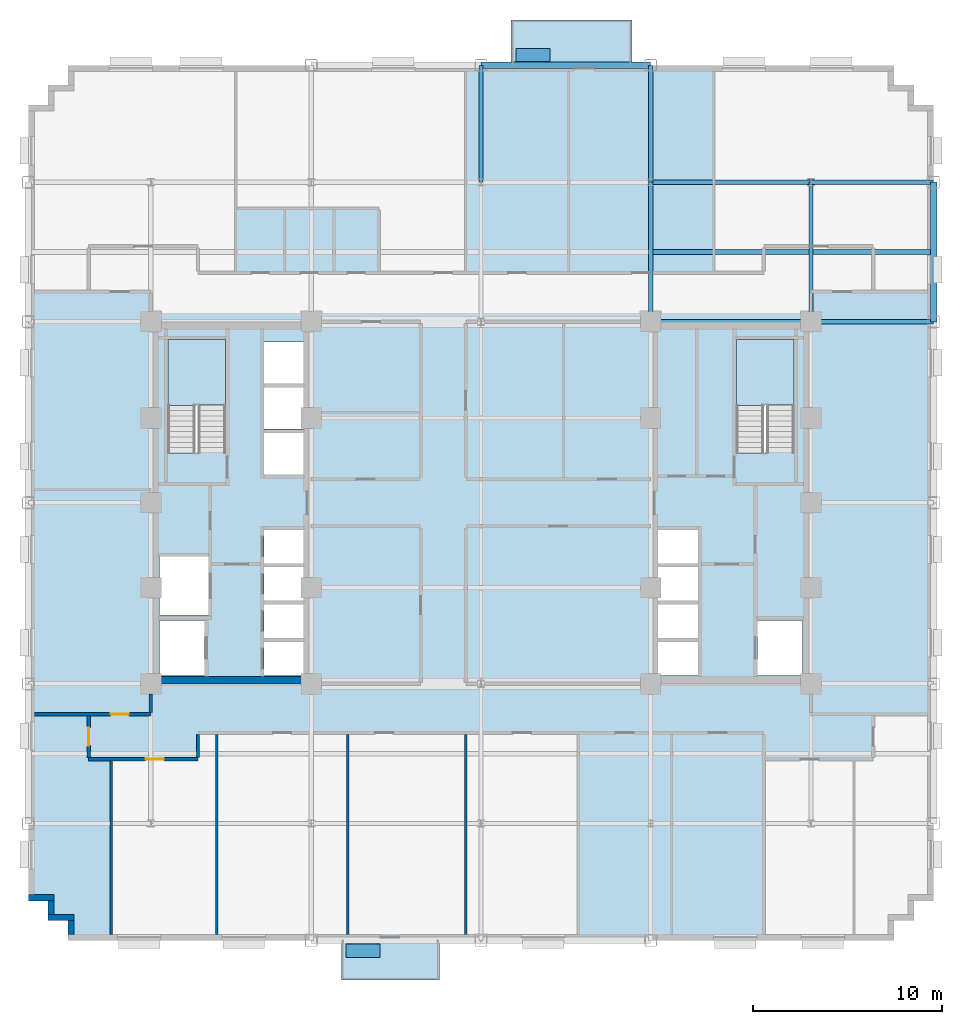
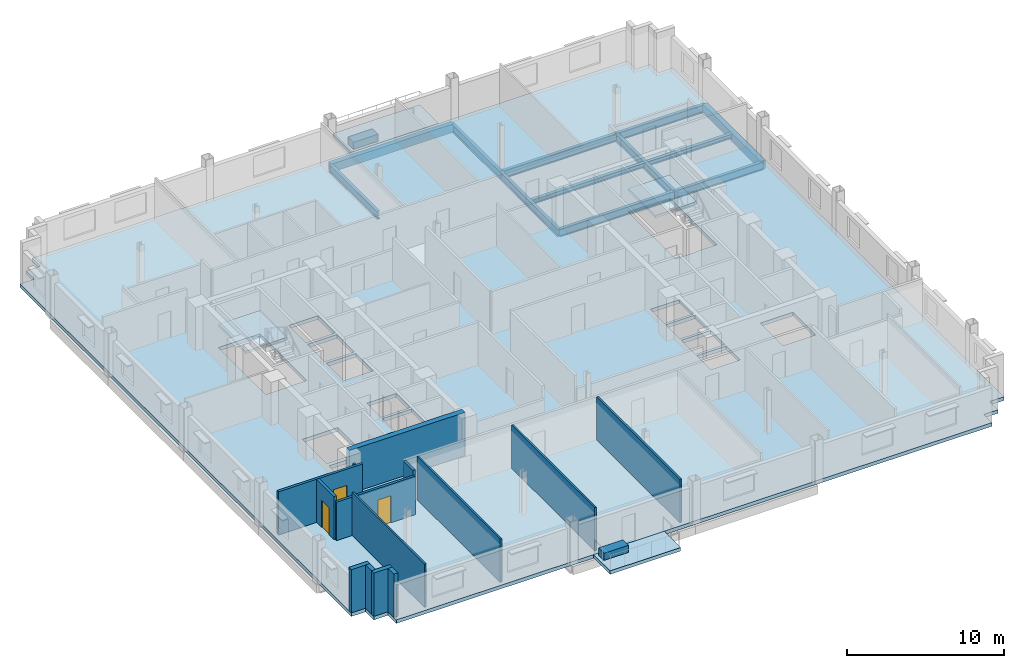
# One storey, part 5 of 14: 14 walls, 12 beams, 5 slabs, 3 doors, 2 plates, 3 openings, 2 elements without a shape of their own.
"""IFC4 building model written with IfcOpenShell, lengths in metres."""

import ifcopenshell
import ifcopenshell.guid

model = None  # the IFC model being written
_history = None  # IfcOwnerHistory: only IFC2X3 demands one
_inside = {}  # id of a spatial element -> (the spatial element, [elements in it])
_under = {}  # id of a project, library or spatial element -> (it, [spatial elements below it])
_declared = {}  # id of a project -> (the project, [libraries it declares])
_typed = {}  # id of a type object -> (the type object, [elements of that type])
_made_of = {}  # id of a material, layer set ... -> (it, [elements and type objects made of it])


def new_model(schema):
    """Start an empty IFC model of exactly this schema.

    Asked for "IFC4X3", IfcOpenShell would pick the latest addendum, in which some entities
    have other attributes; the version numbers below select the first issue.
    IFC2X3 requires an IfcOwnerHistory on every rooted entity: one is made here for all.
    """
    global model, _history
    if schema == "IFC4X3":
        model = ifcopenshell.file(schema_version=(4, 3, 0, 0))
    else:
        model = ifcopenshell.file(schema=schema)
    _inside.clear()
    _under.clear()
    _declared.clear()
    _typed.clear()
    _made_of.clear()
    _history = None
    if model.schema == "IFC2X3":
        org = make("IfcOrganization", Name="unknown")
        user = make(
            "IfcPersonAndOrganization",
            ThePerson=make("IfcPerson", FamilyName="unknown"),
            TheOrganization=org,
        )
        app = make(
            "IfcApplication",
            ApplicationDeveloper=org,
            Version="unknown",
            ApplicationFullName="unknown",
            ApplicationIdentifier="unknown",
        )
        _history = make(
            "IfcOwnerHistory",
            OwningUser=user,
            OwningApplication=app,
            ChangeAction="ADDED",
            CreationDate=0,
        )
    return model


def make(cls, **values):
    """One entity of the class cls with the attributes given. An attribute that is None is left unset."""
    return model.create_entity(
        cls, **{name: value for name, value in values.items() if value is not None}
    )


def rooted(cls, **values):
    """An entity with a GlobalId (a new one), such as an element, a storey or a relation."""
    return make(cls, GlobalId=ifcopenshell.guid.new(), OwnerHistory=_history, **values)


def si_unit(unit_type, name, prefix=None):
    """IfcSIUnit, for example si_unit("LENGTHUNIT", "METRE", prefix="MILLI")."""
    return make("IfcSIUnit", UnitType=unit_type, Prefix=prefix, Name=name)


def assignment(units):
    """IfcUnitAssignment: the units of a project."""
    return None if units is None else make("IfcUnitAssignment", Units=units)


def point(xyz):
    """IfcCartesianPoint."""
    return None if xyz is None else make("IfcCartesianPoint", Coordinates=xyz)


def direction(xyz):
    """IfcDirection."""
    return None if xyz is None else make("IfcDirection", DirectionRatios=xyz)


def frame(location, z_axis=None, x_axis=None):
    """IfcAxis2Placement3D, a coordinate frame: its origin and axes. An axis left out is left unset."""
    return make(
        "IfcAxis2Placement3D",
        Location=point(location),
        Axis=direction(z_axis),
        RefDirection=direction(x_axis),
    )


def frame_2d(location, x_axis=None):
    """IfcAxis2Placement2D, a coordinate frame in the plane: its origin and x axis."""
    return make(
        "IfcAxis2Placement2D", Location=point(location), RefDirection=direction(x_axis)
    )


def origin():
    """The frame at (0, 0, 0) with its axes left unset."""
    return frame((0.0, 0.0, 0.0))


def origin_2d():
    """The frame at (0, 0) in the plane with its x axis left unset."""
    return frame_2d((0.0, 0.0))


def place(relative_to, where):
    """IfcLocalPlacement: puts the frame where relative to a parent placement (None: the world)."""
    return make(
        "IfcLocalPlacement", PlacementRelTo=relative_to, RelativePlacement=where
    )


def context(
    kind, dimensions, precision=None, world=None, true_north=None, identifier=None
):
    """IfcGeometricRepresentationContext, for example the 3D "Model" context."""
    return make(
        "IfcGeometricRepresentationContext",
        ContextIdentifier=identifier,
        ContextType=kind,
        CoordinateSpaceDimension=dimensions,
        Precision=precision,
        WorldCoordinateSystem=world,
        TrueNorth=true_north,
    )


def subcontext(parent, identifier, kind, view, scale=None):
    """IfcGeometricRepresentationSubContext, for example "Body" below "Model"."""
    return make(
        "IfcGeometricRepresentationSubContext",
        ContextIdentifier=identifier,
        ContextType=kind,
        ParentContext=parent,
        TargetScale=scale,
        TargetView=view,
    )


def project(units=None, contexts=None):
    """IfcProject with its units and contexts."""
    return rooted(
        "IfcProject",
        Name="project",
        RepresentationContexts=contexts,
        UnitsInContext=assignment(units),
    )


def spatial(cls, under=None, at=None, **own):
    """A site, building, storey or space (cls), placed at a placement, below another one or the project."""
    s = rooted(cls, ObjectPlacement=at, **own)
    if under is not None:
        _under.setdefault(under.id(), (under, []))[1].append(s)
    return s


def polyline(points):
    """IfcPolyline through the points."""
    return make("IfcPolyline", Points=[point(p) for p in points])


def profile(cls, at=None, kind="AREA", **sizes):
    """A parametric profile (cls). Its sizes go by their IFC names, for example OverallWidth=200.0."""
    return make(cls, ProfileType=kind, Position=at, **sizes)


def rectangle(**sizes):
    """IfcRectangleProfileDef."""
    return profile("IfcRectangleProfileDef", **sizes)


def i_section(**sizes):
    """IfcIShapeProfileDef."""
    return profile("IfcIShapeProfileDef", **sizes)


def outline(outer, holes=None, kind="AREA"):
    """IfcArbitraryClosedProfileDef: a profile drawn as a closed curve; with holes, ...WithVoids."""
    if holes is None:
        return make("IfcArbitraryClosedProfileDef", ProfileType=kind, OuterCurve=outer)
    return make(
        "IfcArbitraryProfileDefWithVoids",
        ProfileType=kind,
        OuterCurve=outer,
        InnerCurves=holes,
    )


def extrude(swept, where, along, depth):
    """IfcExtrudedAreaSolid: the profile swept, set in the frame where, extruded along a direction by depth."""
    return make(
        "IfcExtrudedAreaSolid",
        SweptArea=swept,
        Position=where,
        ExtrudedDirection=direction(along),
        Depth=depth,
    )


def shape(context_of_items, identifier, shape_type, items):
    """IfcShapeRepresentation: the items that make up one representation, for example the "Body"."""
    return make(
        "IfcShapeRepresentation",
        ContextOfItems=context_of_items,
        RepresentationIdentifier=identifier,
        RepresentationType=shape_type,
        Items=items,
    )


def source(mapping_origin, context_of_items, identifier, shape_type, items):
    """IfcRepresentationMap: a shape defined once, which mapped items show again and again."""
    return make(
        "IfcRepresentationMap",
        MappingOrigin=mapping_origin,
        MappedRepresentation=shape(context_of_items, identifier, shape_type, items),
    )


def transform(
    local_origin,
    x_axis=None,
    y_axis=None,
    z_axis=None,
    scale=None,
    scale2=None,
    scale3=None,
    uniform=True,
):
    """IfcCartesianTransformationOperator3D, or its non-uniform kind. x_axis, y_axis, z_axis: its Axis1, 2, 3."""
    if uniform:
        return make(
            "IfcCartesianTransformationOperator3D",
            Axis1=direction(x_axis),
            Axis2=direction(y_axis),
            LocalOrigin=point(local_origin),
            Scale=scale,
            Axis3=direction(z_axis),
        )
    return make(
        "IfcCartesianTransformationOperator3DnonUniform",
        Axis1=direction(x_axis),
        Axis2=direction(y_axis),
        LocalOrigin=point(local_origin),
        Scale=scale,
        Axis3=direction(z_axis),
        Scale2=scale2,
        Scale3=scale3,
    )


def mapped(mapping_source, mapping_target):
    """IfcMappedItem: shows the shape of a source again, moved by a transform."""
    return make(
        "IfcMappedItem", MappingSource=mapping_source, MappingTarget=mapping_target
    )


def material(Name=None, Category=None):
    """IfcMaterial."""
    return make("IfcMaterial", Name=Name, Category=Category)


def layer(
    of_material, thickness, ventilated=None, Name=None, Category=None, Priority=None
):
    """IfcMaterialLayer: one layer of a wall or slab, of a material (None: an air gap)."""
    return make(
        "IfcMaterialLayer",
        Material=of_material,
        LayerThickness=thickness,
        IsVentilated=ventilated,
        Name=Name,
        Category=Category,
        Priority=Priority,
    )


def layer_set(layers, Name=None):
    """IfcMaterialLayerSet."""
    return make("IfcMaterialLayerSet", MaterialLayers=layers, LayerSetName=Name)


def material_profile(
    of_material, cross_section, Name=None, Category=None, Priority=None
):
    """IfcMaterialProfile: a cross section and its material."""
    return make(
        "IfcMaterialProfile",
        Name=Name,
        Material=of_material,
        Profile=cross_section,
        Priority=Priority,
        Category=Category,
    )


def profile_set(profiles, Name=None, composite=None):
    """IfcMaterialProfileSet."""
    return make(
        "IfcMaterialProfileSet",
        Name=Name,
        MaterialProfiles=profiles,
        CompositeProfile=composite,
    )


def made_of(thing, what):
    """Note that an element or type object is made of a material, layer set ...; save() writes the relation."""
    if what is not None:
        _made_of.setdefault(what.id(), (what, []))[1].append(thing)
    return thing


def type_object(cls, material=None, **own):
    """A type object (cls), such as IfcWallType, which elements share."""
    return made_of(rooted(cls, **own), material)


def type_shapes(of_type, sources):
    """Give a type object the sources (RepresentationMaps) that its elements show as mapped items."""
    of_type.RepresentationMaps = sources


def element(
    cls,
    number,
    at=None,
    inside=None,
    cuts=None,
    type_object=None,
    material=None,
    context=None,
    identifier="Body",
    shape_type=None,
    held_by="IfcProductDefinitionShape",
    body=None,
    shapes=None,
    **own,
):
    """One element of the class cls, such as IfcWall. Its Tag is "e" and its number.

    at: its placement. inside: the storey or other place that contains it. cuts: it is an
    opening in that element (IfcRelVoidsElement). A single representation is given by context,
    identifier, shape_type and body (its items); several are given by shapes. held_by: the class
    of the entity that holds the representations. save() writes the other relations.
    """
    e = rooted(cls, Tag="e%d" % number, ObjectPlacement=at, **own)
    if body is not None:
        shapes = [shape(context, identifier, shape_type, body)]
    if shapes is not None:
        e.Representation = make(held_by, Representations=shapes)
    if inside is not None:
        _inside.setdefault(inside.id(), (inside, []))[1].append(e)
    if cuts is not None:
        rooted(
            "IfcRelVoidsElement", RelatingBuildingElement=cuts, RelatedOpeningElement=e
        )
    if type_object is not None:
        _typed.setdefault(type_object.id(), (type_object, []))[1].append(e)
    return made_of(e, material)


def fill(opening, filler):
    """IfcRelFillsElement: the door or window that sits in an opening."""
    return rooted(
        "IfcRelFillsElement",
        RelatingOpeningElement=opening,
        RelatedBuildingElement=filler,
    )


def aggregate(whole, parts):
    """IfcRelAggregates: a whole, such as a stair, and the parts it consists of."""
    return rooted("IfcRelAggregates", RelatingObject=whole, RelatedObjects=parts)


def save(model, path):
    """Write the relations noted so far, then the file.

    IfcRelAggregates (storeys below a building ...), IfcRelContainedInSpatialStructure (elements
    in a storey), IfcRelDefinesByType, IfcRelAssociatesMaterial and IfcRelDeclares: one each for
    every whole, place, type object, material and project.
    """
    for whole, parts in _under.values():
        aggregate(whole, parts)
    for where, things in _inside.values():
        rooted(
            "IfcRelContainedInSpatialStructure",
            RelatedElements=things,
            RelatingStructure=where,
        )
    for kind, things in _typed.values():
        rooted("IfcRelDefinesByType", RelatedObjects=things, RelatingType=kind)
    for what, things in _made_of.values():
        rooted("IfcRelAssociatesMaterial", RelatedObjects=things, RelatingMaterial=what)
    for by, libraries in _declared.values():
        rooted("IfcRelDeclares", RelatingContext=by, RelatedDefinitions=libraries)
    model.write(path)


model = new_model("IFC4")

# Units and contexts
model_context = context("Model", 3, precision=1e-05, world=origin(), true_north=direction((0.0, 1.0)))
body_context = subcontext(model_context, "Body", "Model", "MODEL_VIEW")
ifc_project = project(units=[si_unit("LENGTHUNIT", "METRE"), si_unit("AREAUNIT", "SQUARE_METRE"), si_unit("VOLUMEUNIT", "CUBIC_METRE"), si_unit("PLANEANGLEUNIT", "RADIAN"), si_unit("MASSUNIT", "GRAM", prefix="KILO")], contexts=[model_context])

# Site, building, storey
site_placement = place(None, origin())
site = spatial("IfcSite", under=ifc_project, at=site_placement, CompositionType="ELEMENT")
building_placement = place(site_placement, origin())
building = spatial("IfcBuilding", under=site, at=building_placement, Name="Nuvemarco Arch Tower", CompositionType="ELEMENT")
storey_placement = place(building_placement, frame((0.0, 0.0, 98.300048828125)))
storey = spatial("IfcBuildingStorey", under=building, at=storey_placement, Name="L25", CompositionType="ELEMENT", Elevation=98.300048828125)

# Beams
ifc_material_1 = material(Name="Steel S355", Category="steel")
ifc_material_profile_1 = material_profile(ifc_material_1, i_section(OverallWidth=0.22998046875, OverallDepth=0.616943359375, WebThickness=0.01318359375, FlangeThickness=0.022216796875, FilletRadius=0.01611328125, at=origin_2d()), Name="W610x140")
ifc_profile_set_1 = profile_set([ifc_material_profile_1], Name="Steel S355")
beam_type_1 = type_object("IfcBeamType", Name="BM-GIRD-610", PredefinedType="BEAM", material=ifc_profile_set_1)
beam_1_placement = place(storey_placement, frame((0.0, 17.0, -0.588623046875), z_axis=(0.0, 1.0, 0.0), x_axis=(-1.0, 0.0, 0.0)))
element("IfcBeam", 1, at=beam_1_placement, inside=storey, type_object=beam_type_1, Name="L25 structural beam BGNS_L25_0_+0.0_+17.0", PredefinedType="BEAM", context=body_context, shape_type="SweptSolid", body=[
    extrude(i_section(OverallWidth=0.22998046875, OverallDepth=0.616943359375, WebThickness=0.01318359375, FlangeThickness=0.022216796875, FilletRadius=0.01611328125, at=origin_2d()), origin(), (0.0, 0.0, 1.0), 6.199951171875),
])
beam_2_placement = place(storey_placement, frame((9.0, 9.60009765625, -0.588623046875), z_axis=(0.0, 1.0, 0.0), x_axis=(-1.0, 0.0, 0.0)))
element("IfcBeam", 2, at=beam_2_placement, inside=storey, type_object=beam_type_1, Name="L25 structural beam BGNS_L25_0_+9.0_+9.6", PredefinedType="BEAM", context=body_context, shape_type="SweptSolid", body=[
    extrude(i_section(OverallWidth=0.22998046875, OverallDepth=0.616943359375, WebThickness=0.01318359375, FlangeThickness=0.022216796875, FilletRadius=0.01611328125, at=origin_2d()), origin(), (0.0, 0.0, 1.0), 7.39990234375),
])
beam_3_placement = place(storey_placement, frame((9.0, 17.0, -0.588623046875), z_axis=(0.0, 1.0, 0.0), x_axis=(-1.0, 0.0, 0.0)))
element("IfcBeam", 3, at=beam_3_placement, inside=storey, type_object=beam_type_1, Name="L25 structural beam BGNS_L25_0_+9.0_+17.0", PredefinedType="BEAM", context=body_context, shape_type="SweptSolid", body=[
    extrude(i_section(OverallWidth=0.22998046875, OverallDepth=0.616943359375, WebThickness=0.01318359375, FlangeThickness=0.022216796875, FilletRadius=0.01611328125, at=origin_2d()), origin(), (0.0, 0.0, 1.0), 6.199951171875),
])
beam_4_placement = place(storey_placement, frame((17.5, 9.60009765625, -0.588623046875), z_axis=(0.0, 1.0, 0.0), x_axis=(-1.0, 0.0, 0.0)))
element("IfcBeam", 4, at=beam_4_placement, inside=storey, type_object=beam_type_1, Name="L25 structural beam BGNS_L25_0_+17.5_+9.6", PredefinedType="BEAM", context=body_context, shape_type="SweptSolid", body=[
    extrude(i_section(OverallWidth=0.22998046875, OverallDepth=0.616943359375, WebThickness=0.01318359375, FlangeThickness=0.022216796875, FilletRadius=0.01611328125, at=origin_2d()), origin(), (0.0, 0.0, 1.0), 7.39990234375),
])
beam_5_placement = place(storey_placement, frame((9.0, 9.60009765625, -0.588623046875), z_axis=(1.0, 0.0, 0.0), x_axis=(0.0, 1.0, 0.0)))
element("IfcBeam", 5, at=beam_5_placement, inside=storey, type_object=beam_type_1, Name="L25 structural beam BGEW_L25_0_+9.6_+9.0", PredefinedType="BEAM", context=body_context, shape_type="SweptSolid", body=[
    extrude(i_section(OverallWidth=0.22998046875, OverallDepth=0.616943359375, WebThickness=0.01318359375, FlangeThickness=0.022216796875, FilletRadius=0.01611328125, at=origin_2d()), origin(), (0.0, 0.0, 1.0), 8.5),
])
beam_6_placement = place(storey_placement, frame((17.5, 9.60009765625, -0.588623046875), z_axis=(1.0, 0.0, 0.0), x_axis=(0.0, 1.0, 0.0)))
element("IfcBeam", 6, at=beam_6_placement, inside=storey, type_object=beam_type_1, Name="L25 structural beam BGEW_L25_0_+9.6_+17.5", PredefinedType="BEAM", context=body_context, shape_type="SweptSolid", body=[
    extrude(i_section(OverallWidth=0.22998046875, OverallDepth=0.616943359375, WebThickness=0.01318359375, FlangeThickness=0.022216796875, FilletRadius=0.01611328125, at=origin_2d()), origin(), (0.0, 0.0, 1.0), 6.5),
])
beam_7_placement = place(storey_placement, frame((9.0, 17.0, -0.588623046875), z_axis=(1.0, 0.0, 0.0), x_axis=(0.0, 1.0, 0.0)))
element("IfcBeam", 7, at=beam_7_placement, inside=storey, type_object=beam_type_1, Name="L25 structural beam BGEW_L25_0_+17.0_+9.0", PredefinedType="BEAM", context=body_context, shape_type="SweptSolid", body=[
    extrude(i_section(OverallWidth=0.22998046875, OverallDepth=0.616943359375, WebThickness=0.01318359375, FlangeThickness=0.022216796875, FilletRadius=0.01611328125, at=origin_2d()), origin(), (0.0, 0.0, 1.0), 8.5),
])
beam_8_placement = place(storey_placement, frame((17.5, 17.0, -0.588623046875), z_axis=(1.0, 0.0, 0.0), x_axis=(0.0, 1.0, 0.0)))
element("IfcBeam", 8, at=beam_8_placement, inside=storey, type_object=beam_type_1, Name="L25 structural beam BGEW_L25_0_+17.0_+17.5", PredefinedType="BEAM", context=body_context, shape_type="SweptSolid", body=[
    extrude(i_section(OverallWidth=0.22998046875, OverallDepth=0.616943359375, WebThickness=0.01318359375, FlangeThickness=0.022216796875, FilletRadius=0.01611328125, at=origin_2d()), origin(), (0.0, 0.0, 1.0), 6.5),
])
ifc_material_profile_2 = material_profile(ifc_material_1, i_section(OverallWidth=0.2548828125, OverallDepth=0.35693359375, WebThickness=0.010498046875, FlangeThickness=0.018310546875, FilletRadius=0.014892578125, at=origin_2d()), Name="W360x101")
ifc_profile_set_2 = profile_set([ifc_material_profile_2], Name="Steel S355")
beam_type_2 = type_object("IfcBeamType", Name="BM-JOIST-360H", PredefinedType="JOIST", material=ifc_profile_set_2)
beam_9_placement = place(storey_placement, frame((9.114990234375, 13.300048828125, -0.45849609375), z_axis=(1.0, 0.0, 0.0), x_axis=(0.0, 1.0, 0.0)))
element("IfcBeam", 9, at=beam_9_placement, inside=storey, type_object=beam_type_2, Name="L25 structural beam BJ_L25_0_+13.3_+9.0", PredefinedType="JOIST", context=body_context, shape_type="SweptSolid", body=[
    extrude(i_section(OverallWidth=0.2548828125, OverallDepth=0.35693359375, WebThickness=0.010498046875, FlangeThickness=0.018310546875, FilletRadius=0.014892578125, at=origin_2d()), origin(), (0.0, 0.0, 1.0), 8.27001953125),
])
beam_10_placement = place(storey_placement, frame((17.614990234375, 13.300048828125, -0.45849609375), z_axis=(1.0, 0.0, 0.0), x_axis=(0.0, 1.0, 0.0)))
element("IfcBeam", 10, at=beam_10_placement, inside=storey, type_object=beam_type_2, Name="L25 structural beam BJ_L25_0_+13.3_+17.5", PredefinedType="JOIST", context=body_context, shape_type="SweptSolid", body=[
    extrude(i_section(OverallWidth=0.2548828125, OverallDepth=0.35693359375, WebThickness=0.010498046875, FlangeThickness=0.018310546875, FilletRadius=0.014892578125, at=origin_2d()), origin(), (0.0, 0.0, 1.0), 6.2099609375),
])
ifc_material_2 = material(Name="Precast concrete C45/55", Category="concrete")
ifc_material_profile_3 = material_profile(ifc_material_2, rectangle(XDim=0.35009765625, YDim=0.64990234375, at=origin_2d()), Name="PC-SP-350x650")
ifc_profile_set_3 = profile_set([ifc_material_profile_3], Name="Precast concrete C45/55")
beam_type_3 = type_object("IfcBeamType", Name="BM-SPAN-RC", PredefinedType="SPANDREL", material=ifc_profile_set_3)
beam_11_placement = place(storey_placement, frame((24.0, 9.60009765625, -0.60498046875), z_axis=(0.0, 1.0, 0.0), x_axis=(-1.0, 0.0, 0.0)))
element("IfcBeam", 11, at=beam_11_placement, inside=storey, type_object=beam_type_3, Name="L25 structural beam BGNS_L25_0_+24.0_+9.6", PredefinedType="SPANDREL", context=body_context, shape_type="SweptSolid", body=[
    extrude(rectangle(XDim=0.35009765625, YDim=0.64990234375, at=origin_2d()), origin(), (0.0, 0.0, 1.0), 7.39990234375),
])
beam_12_placement = place(storey_placement, frame((0.0, 23.199951171875, -0.60498046875), z_axis=(1.0, 0.0, 0.0), x_axis=(0.0, 1.0, 0.0)))
element("IfcBeam", 12, at=beam_12_placement, inside=storey, type_object=beam_type_3, Name="L25 structural beam BGEW_L25_0_+23.2_+0.0", PredefinedType="SPANDREL", context=body_context, shape_type="SweptSolid", body=[
    extrude(rectangle(XDim=0.35009765625, YDim=0.64990234375, at=origin_2d()), origin(), (0.0, 0.0, 1.0), 9.0),
])

# Slab
ifc_material_3 = material(Name="Concrete C50/60", Category="concrete")
ifc_layer_1 = layer(ifc_material_3, 0.280029296875, Name="SL-FLR-280")
ifc_layer_set_1 = layer_set([ifc_layer_1], Name="Concrete C50/60")
slab_type_1 = type_object("IfcSlabType", Name="SL-FLR-280", PredefinedType="FLOOR", material=ifc_layer_set_1)
slab_1_placement = place(storey_placement, frame((0.0, 0.0, -0.280029296875)))
element("IfcSlab", 13, at=slab_1_placement, inside=storey, type_object=slab_type_1, Name="L25 structural floor slab", PredefinedType="FLOOR", context=body_context, shape_type="SweptSolid", body=[
    extrude(outline(polyline([(-21.89990234375, -23.199951171875), (21.89990234375, -23.199951171875), (21.89990234375, -22.14990234375), (22.949951171875, -22.14990234375), (22.949951171875, -21.10009765625), (24.0, -21.10009765625), (24.0, 21.10009765625), (22.949951171875, 21.10009765625), (22.949951171875, 22.14990234375), (21.89990234375, 22.14990234375), (21.89990234375, 23.199951171875), (-21.89990234375, 23.199951171875), (-21.89990234375, 22.14990234375), (-22.949951171875, 22.14990234375), (-22.949951171875, 21.10009765625), (-24.0, 21.10009765625), (-24.0, -21.10009765625), (-22.949951171875, -21.10009765625), (-22.949951171875, -22.14990234375), (-21.89990234375, -22.14990234375), (-21.89990234375, -23.199951171875)]), holes=[polyline([(-13.5400390625, 2.669921875), (-13.5400390625, 8.64990234375), (-16.60009765625, 8.64990234375), (-16.60009765625, 2.630615234375), (-15.070068359375, 2.630615234375), (-15.070068359375, 2.669921875), (-13.5400390625, 2.669921875)]), polyline([(16.60009765625, 2.669921875), (16.60009765625, 8.64990234375), (13.5400390625, 8.64990234375), (13.5400390625, 2.630615234375), (15.070068359375, 2.630615234375), (15.070068359375, 2.669921875), (16.60009765625, 2.669921875)]), polyline([(-17.050048828125, -9.14990234375), (-14.64990234375, -9.14990234375), (-14.64990234375, -6.25), (-17.050048828125, -6.25), (-17.050048828125, -9.14990234375)]), polyline([(-17.050048828125, -5.949951171875), (-14.449951171875, -5.949951171875), (-14.449951171875, -2.85009765625), (-17.050048828125, -2.85009765625), (-17.050048828125, -5.949951171875)]), polyline([(-11.5, -9.14990234375), (-9.35009765625, -9.14990234375), (-9.35009765625, -7.3701171875), (-11.5, -7.3701171875), (-11.5, -9.14990234375)]), polyline([(-11.5, -7.169921875), (-9.35009765625, -7.169921875), (-9.35009765625, -5.389892578125), (-11.5, -5.389892578125), (-11.5, -7.169921875)]), polyline([(-11.5, -5.18994140625), (-9.35009765625, -5.18994140625), (-9.35009765625, -3.409912109375), (-11.5, -3.409912109375), (-11.5, -5.18994140625)]), polyline([(-11.5, -3.2099609375), (-9.35009765625, -3.2099609375), (-9.35009765625, -1.429931640625), (-11.5, -1.429931640625), (-11.5, -3.2099609375)]), polyline([(-11.5, 1.5), (-9.35009765625, 1.5), (-9.35009765625, 3.699951171875), (-11.5, 3.699951171875), (-11.5, 1.5)]), polyline([(-11.5, 3.919921875), (-9.35009765625, 3.919921875), (-9.35009765625, 6.1201171875), (-11.5, 6.1201171875), (-11.5, 3.919921875)]), polyline([(-11.5, 6.340087890625), (-9.35009765625, 6.340087890625), (-9.35009765625, 8.5400390625), (-11.5, 8.5400390625), (-11.5, 6.340087890625)]), polyline([(14.64990234375, -9.14990234375), (17.050048828125, -9.14990234375), (17.050048828125, -6.25), (14.64990234375, -6.25), (14.64990234375, -9.14990234375)]), polyline([(9.35009765625, -9.14990234375), (11.5, -9.14990234375), (11.5, -7.3701171875), (9.35009765625, -7.3701171875), (9.35009765625, -9.14990234375)]), polyline([(9.35009765625, -7.169921875), (11.5, -7.169921875), (11.5, -5.389892578125), (9.35009765625, -5.389892578125), (9.35009765625, -7.169921875)]), polyline([(9.35009765625, -5.18994140625), (11.5, -5.18994140625), (11.5, -3.409912109375), (9.35009765625, -3.409912109375), (9.35009765625, -5.18994140625)]), polyline([(9.35009765625, -3.2099609375), (11.5, -3.2099609375), (11.5, -1.429931640625), (9.35009765625, -1.429931640625), (9.35009765625, -3.2099609375)])]), origin(), (0.0, 0.0, 1.0), 0.280029296875),
])

# Stair, slab
stair_type = type_object("IfcStairType", Name="ST-CORE-20R", PredefinedType="HALF_TURN_STAIR", material=ifc_material_2)
stair_1_placement = place(storey_placement, origin())
stair_1 = element("IfcStair", 14, at=stair_1_placement, inside=storey, type_object=stair_type, Name="L25 Protected Exit Stair ST-1", PredefinedType="HALF_TURN_STAIR")
ifc_layer_2 = layer(ifc_material_2, 0.199951171875, Name="SL-LANDING-200")
ifc_layer_set_2 = layer_set([ifc_layer_2], Name="Precast concrete C45/55")
slab_type_2 = type_object("IfcSlabType", Name="SL-LANDING-200", PredefinedType="LANDING", material=ifc_layer_set_2)
slab_2_placement = place(storey_placement, frame((0.0, 0.0, 1.625)))
slab_2 = element("IfcSlab", 15, at=slab_2_placement, type_object=slab_type_2, Name="ST-20R landing 1", PredefinedType="LANDING", context=body_context, shape_type="SweptSolid", body=[
    extrude(outline(polyline([(-13.5400390625, 5.189453125), (-13.5400390625, 8.64990234375), (-16.60009765625, 8.64990234375), (-16.60009765625, 5.169921875), (-15.070068359375, 5.169921875), (-15.070068359375, 5.189453125), (-13.5400390625, 5.189453125)])), origin(), (0.0, 0.0, 1.0), 0.199951171875),
])
aggregate(stair_1, [slab_2])

stair_2_placement = place(storey_placement, origin())
stair_2 = element("IfcStair", 16, at=stair_2_placement, inside=storey, type_object=stair_type, Name="L25 Protected Exit Stair ST-2", PredefinedType="HALF_TURN_STAIR")
slab_3_placement = place(storey_placement, frame((0.0, 0.0, 1.625)))
slab_3 = element("IfcSlab", 17, at=slab_3_placement, type_object=slab_type_2, Name="ST-20R landing 1", PredefinedType="LANDING", context=body_context, shape_type="SweptSolid", body=[
    extrude(outline(polyline([(16.60009765625, 5.189453125), (16.60009765625, 8.64990234375), (13.5400390625, 8.64990234375), (13.5400390625, 5.169921875), (15.070068359375, 5.169921875), (15.070068359375, 5.189453125), (16.60009765625, 5.189453125)])), origin(), (0.0, 0.0, 1.0), 0.199951171875),
])
aggregate(stair_2, [slab_3])

# Slabs
ifc_layer_3 = layer(ifc_material_3, 0.264892578125, Name="SL-TB1")
ifc_layer_set_3 = layer_set([ifc_layer_3], Name="Concrete C50/60")
slab_type_3 = type_object("IfcSlabType", Name="SL-TB1", PredefinedType="FLOOR", material=ifc_layer_set_3)
slab_4_placement = place(storey_placement, frame((0.0, 0.0, -0.26513671875)))
element("IfcSlab", 18, at=slab_4_placement, inside=storey, type_object=slab_type_3, Name="L25 outdoor tree balcony slab 2", PredefinedType="FLOOR", context=body_context, shape_type="SweptSolid", body=[
    extrude(outline(polyline([(-7.39990234375, -25.300048828125), (-2.199951171875, -25.300048828125), (-2.199951171875, -23.199951171875), (-7.39990234375, -23.199951171875), (-7.39990234375, -25.300048828125)])), origin(), (0.0, 0.0, 1.0), 0.26513671875),
])
ifc_layer_4 = layer(ifc_material_3, 0.294921875, Name="SL-TR4")
ifc_layer_set_4 = layer_set([ifc_layer_4], Name="Concrete C50/60")
slab_type_4 = type_object("IfcSlabType", Name="SL-TR4", PredefinedType="FLOOR", material=ifc_layer_set_4)
slab_5_placement = place(storey_placement, frame((0.0, 0.0, -0.295166015625)))
element("IfcSlab", 19, at=slab_5_placement, inside=storey, type_object=slab_type_4, Name="L25 outdoor spiral terrace slab 1", PredefinedType="FLOOR", context=body_context, shape_type="SweptSolid", body=[
    extrude(outline(polyline([(1.60009765625, 23.199951171875), (8.0, 23.199951171875), (8.0, 25.60009765625), (1.60009765625, 25.60009765625), (1.60009765625, 23.199951171875)])), origin(), (0.0, 0.0, 1.0), 0.295166015625),
])

# Plates
ifc_layer_5 = layer(ifc_material_2, 0.550048828125, Name="Tree Balcony Structural Planter")
ifc_layer_set_5 = layer_set([ifc_layer_5], Name="Precast concrete C45/55")
plate_type = type_object("IfcPlateType", Name="Tree Balcony Structural Planter", PredefinedType="USERDEFINED", material=ifc_layer_set_5)
shared_shape_1 = source(origin(), body_context, "Body", "SweptSolid", [
    extrude(rectangle(XDim=1.800048828125, YDim=0.699951171875, at=origin_2d()), origin(), (0.0, 0.0, 1.0), 0.550048828125),
])
type_shapes(plate_type, [shared_shape_1])
for number, where, z_axis, x_axis, name in (
    (20, (2.75, 23.75, 0.0), (0.0, 0.0, 1.0), (1.0, 0.0, 0.0), "L25 Tree Balcony Structural Planter"),
    (21, (-6.25, -23.75, 0.0), (0.0, 0.0, 1.0), (1.0, 0.0, 0.0), "L25 Tree Balcony Structural Planter"),
):
    element("IfcPlate", number, at=place(storey_placement, frame(where, z_axis=z_axis, x_axis=x_axis)), inside=storey, type_object=plate_type, Name=name, ObjectType="PLANTER", PredefinedType="USERDEFINED", context=body_context, shape_type="MappedRepresentation", body=[
        mapped(shared_shape_1, transform((0.0, 0.0, 0.0), scale=1.0)),
    ])

# Walls
ifc_layer_6 = layer(ifc_material_2, 0.320068359375, Name="EW-MID-320")
ifc_layer_set_6 = layer_set([ifc_layer_6], Name="Precast concrete C45/55")
wall_type_1 = type_object("IfcWallType", Name="EW-MID-320", PredefinedType="STANDARD", material=ifc_layer_set_6)
wall_1_placement = place(storey_placement, frame((-24.0, -20.93994140625, 0.0), z_axis=(0.0, 0.0, 1.0), x_axis=(1.0, 0.0, 0.0)))
element("IfcWall", 22, at=wall_1_placement, inside=storey, type_object=wall_type_1, Name="L25 exterior precast facade wall 17", PredefinedType="STANDARD", context=body_context, shape_type="SweptSolid", body=[
    extrude(rectangle(XDim=1.3701171875, YDim=0.320068359375, at=frame_2d((0.68505859375, 0.0))), origin(), (0.0, 0.0, 1.0), 3.35986328125),
])
wall_2_placement = place(storey_placement, frame((-22.7900390625, -21.833984375, 0.0), z_axis=(0.0, 0.0, 1.0), x_axis=(0.0, 1.0, 0.0)))
element("IfcWall", 23, at=wall_2_placement, inside=storey, type_object=wall_type_1, Name="L25 exterior precast facade wall 18", PredefinedType="STANDARD", context=body_context, shape_type="SweptSolid", body=[
    extrude(rectangle(XDim=0.738037109375, YDim=0.320068359375, at=frame_2d((0.369140625, 0.0))), origin(), (0.0, 0.0, 1.0), 3.35986328125),
])
wall_3_placement = place(storey_placement, frame((-22.949951171875, -21.989990234375, 0.0), z_axis=(0.0, 0.0, 1.0), x_axis=(1.0, 0.0, 0.0)))
element("IfcWall", 24, at=wall_3_placement, inside=storey, type_object=wall_type_1, Name="L25 exterior precast facade wall 19", PredefinedType="STANDARD", context=body_context, shape_type="SweptSolid", body=[
    extrude(rectangle(XDim=1.369873046875, YDim=0.320068359375, at=frame_2d((0.68505859375, 0.0))), origin(), (0.0, 0.0, 1.0), 3.35986328125),
])
wall_4_placement = place(storey_placement, frame((-21.739990234375, -22.884033203125, 0.0), z_axis=(0.0, 0.0, 1.0), x_axis=(0.0, 1.0, 0.0)))
element("IfcWall", 25, at=wall_4_placement, inside=storey, type_object=wall_type_1, Name="L25 exterior precast facade wall 20", PredefinedType="STANDARD", context=body_context, shape_type="SweptSolid", body=[
    extrude(rectangle(XDim=0.738037109375, YDim=0.320068359375, at=frame_2d((0.369140625, 0.0))), origin(), (0.0, 0.0, 1.0), 3.35986328125),
])
ifc_material_4 = material(Name="Concrete C60/75", Category="concrete")
ifc_layer_7 = layer(ifc_material_4, 0.39990234375, Name="WL-CORE-400")
ifc_layer_set_7 = layer_set([ifc_layer_7], Name="Concrete C60/75")
wall_type_2 = type_object("IfcWallType", Name="WL-CORE-400", PredefinedType="SHEAR", material=ifc_layer_set_7)
wall_5_placement = place(storey_placement, frame((-17.5, -9.39990234375, 0.0), z_axis=(0.0, 0.0, 1.0), x_axis=(1.0, 0.0, 0.0)))
element("IfcWall", 26, at=wall_5_placement, inside=storey, type_object=wall_type_2, Name="L25 W-core shear wall S", PredefinedType="SHEAR", context=body_context, shape_type="SweptSolid", body=[
    extrude(rectangle(XDim=8.5, YDim=0.39990234375, at=frame_2d((4.25, 0.0))), origin(), (0.0, 0.0, 1.0), 3.369873046875),
])

# Wall, opening, door
ifc_material_5 = material(Name="Fire-rated gypsum drywall partition")
ifc_layer_8 = layer(ifc_material_5, 0.179931640625, Name="WL-CORR-180")
ifc_layer_set_8 = layer_set([ifc_layer_8], Name="Fire-rated gypsum drywall partition")
wall_type_3 = type_object("IfcWallType", Name="WL-CORR-180", PredefinedType="PARTITIONING", material=ifc_layer_set_8)
wall_6_placement = place(storey_placement, frame((-20.800048828125, -13.60009765625, 0.0), z_axis=(0.0, 0.0, 1.0), x_axis=(1.0, 0.0, 0.0)))
wall_6 = element("IfcWall", 27, at=wall_6_placement, inside=storey, type_object=wall_type_3, Name="L25 interior wall IW-L25-001", PredefinedType="PARTITIONING", context=body_context, shape_type="SweptSolid", body=[
    extrude(rectangle(XDim=5.800048828125, YDim=0.179931640625, at=frame_2d((2.89990234375, 0.0))), origin(), (0.0, 0.0, 1.0), 2.998046875),
])
opening_1_placement = place(wall_6_placement, frame((3.02490234375, 0.0, 0.0)))
opening_1 = element("IfcOpeningElement", 28, at=opening_1_placement, cuts=wall_6, Name="Opening FD-5", PredefinedType="OPENING", context=body_context, shape_type="SweptSolid", body=[
    extrude(rectangle(XDim=0.9599609375, YDim=2.10009765625, at=frame_2d((0.47998046875, 1.050048828125))), frame((0.0, 0.099853515625, 0.0), z_axis=(0.0, -1.0, 0.0), x_axis=(1.0, 0.0, 0.0)), (0.0, 0.0, 1.0), 0.199951171875),
])
ifc_material_6 = material(Name="Timber fire door", Category="wood")
door_type = type_object("IfcDoorType", Name="DR-CORR-FD", OperationType="NOTDEFINED", PredefinedType="DOOR", material=ifc_material_6)
shared_shape_2 = source(origin(), body_context, "Body", "SweptSolid", [
    extrude(rectangle(XDim=0.9599609375, YDim=2.10009765625, at=frame_2d((0.47998046875, 1.050048828125))), frame((0.0, 0.02490234375, 0.0), z_axis=(0.0, -1.0, 0.0), x_axis=(1.0, 0.0, 0.0)), (0.0, 0.0, 1.0), 0.050048828125),
])
type_shapes(door_type, [shared_shape_2])
door_1_placement = place(opening_1_placement, origin())
door_1 = element("IfcDoor", 29, at=door_1_placement, inside=storey, type_object=door_type, Name="L25 door DR-L25-S_2", OperationType="SINGLE_SWING_LEFT", OverallHeight=2.10009765625, OverallWidth=0.9599609375, PredefinedType="DOOR", context=body_context, shape_type="MappedRepresentation", body=[
    mapped(shared_shape_2, transform((0.0, 0.0, 0.0), scale=1.0)),
])
fill(opening_1, door_1)

wall_7_placement = place(storey_placement, frame((-23.679931640625, -11.199951171875, 0.0), z_axis=(0.0, 0.0, 1.0), x_axis=(1.0, 0.0, 0.0)))
wall_7 = element("IfcWall", 30, at=wall_7_placement, inside=storey, type_object=wall_type_3, Name="L25 interior wall IW-L25-004", PredefinedType="PARTITIONING", context=body_context, shape_type="SweptSolid", body=[
    extrude(rectangle(XDim=6.179931640625, YDim=0.179931640625, at=frame_2d((3.08984375, 0.0))), origin(), (0.0, 0.0, 1.0), 3.35986328125),
])
opening_2_placement = place(wall_7_placement, frame((4.050048828125, 0.0, 0.0)))
opening_2 = element("IfcOpeningElement", 31, at=opening_2_placement, cuts=wall_7, Name="Opening FD-5", PredefinedType="OPENING", context=body_context, shape_type="SweptSolid", body=[
    extrude(rectangle(XDim=0.9599609375, YDim=2.10009765625, at=frame_2d((0.47998046875, 1.050048828125))), frame((0.0, 0.099853515625, 0.0), z_axis=(0.0, -1.0, 0.0), x_axis=(1.0, 0.0, 0.0)), (0.0, 0.0, 1.0), 0.199951171875),
])
door_2_placement = place(opening_2_placement, origin())
door_2 = element("IfcDoor", 32, at=door_2_placement, inside=storey, type_object=door_type, Name="L25 door DR-L25-W_1", OperationType="SINGLE_SWING_LEFT", OverallHeight=2.10009765625, OverallWidth=0.9599609375, PredefinedType="DOOR", context=body_context, shape_type="MappedRepresentation", body=[
    mapped(shared_shape_2, transform((0.0, 0.0, 0.0), scale=1.0)),
])
fill(opening_2, door_2)

wall_8_placement = place(storey_placement, frame((-20.800048828125, -13.513916015625, 0.0), z_axis=(0.0, 0.0, 1.0), x_axis=(0.0, 1.0, 0.0)))
wall_8 = element("IfcWall", 33, at=wall_8_placement, inside=storey, type_object=wall_type_3, Name="L25 interior wall IW-L25-024", PredefinedType="PARTITIONING", context=body_context, shape_type="SweptSolid", body=[
    extrude(rectangle(XDim=2.22802734375, YDim=0.179931640625, at=frame_2d((1.114013671875, 0.0))), origin(), (0.0, 0.0, 1.0), 3.35986328125),
])
opening_3_placement = place(wall_8_placement, frame((0.634033203125, 0.0, 0.0)))
opening_3 = element("IfcOpeningElement", 34, at=opening_3_placement, cuts=wall_8, Name="Opening FD-5", PredefinedType="OPENING", context=body_context, shape_type="SweptSolid", body=[
    extrude(rectangle(XDim=0.9599609375, YDim=2.10009765625, at=frame_2d((0.47998046875, 1.050048828125))), frame((0.0, 0.099853515625, 0.0), z_axis=(0.0, -1.0, 0.0), x_axis=(1.0, 0.0, 0.0)), (0.0, 0.0, 1.0), 0.199951171875),
])
door_3_placement = place(opening_3_placement, origin())
door_3 = element("IfcDoor", 35, at=door_3_placement, inside=storey, type_object=door_type, Name="L25 door DR-L25-S_1", OperationType="SINGLE_SWING_RIGHT", OverallHeight=2.10009765625, OverallWidth=0.9599609375, PredefinedType="DOOR", context=body_context, shape_type="MappedRepresentation", body=[
    mapped(shared_shape_2, transform((0.0, 0.0, 0.0), scale=1.0)),
])
fill(opening_3, door_3)

# Walls
wall_9_placement = place(storey_placement, frame((-17.5, -11.114013671875, 0.0), z_axis=(0.0, 0.0, 1.0), x_axis=(0.0, 1.0, 0.0)))
element("IfcWall", 36, at=wall_9_placement, inside=storey, type_object=wall_type_3, Name="L25 interior wall IW-L25-027", PredefinedType="PARTITIONING", context=body_context, shape_type="SweptSolid", body=[
    extrude(rectangle(XDim=0.968017578125, YDim=0.179931640625, at=frame_2d((0.48388671875, 0.0))), origin(), (0.0, 0.0, 1.0), 2.738037109375),
])
wall_10_placement = place(storey_placement, frame((-15.0, -13.513916015625, 0.0), z_axis=(0.0, 0.0, 1.0), x_axis=(0.0, 1.0, 0.0)))
element("IfcWall", 37, at=wall_10_placement, inside=storey, type_object=wall_type_3, Name="L25 interior wall IW-L25-029", PredefinedType="PARTITIONING", context=body_context, shape_type="SweptSolid", body=[
    extrude(rectangle(XDim=1.22802734375, YDim=0.179931640625, at=frame_2d((0.614013671875, 0.0))), origin(), (0.0, 0.0, 1.0), 3.35986328125),
])
ifc_material_7 = material(Name="Glazed acoustic office partition")
ifc_layer_9 = layer(ifc_material_7, 0.1298828125, Name="WL-EXEC-130")
ifc_layer_set_9 = layer_set([ifc_layer_9], Name="Glazed acoustic office partition")
wall_type_4 = type_object("IfcWallType", Name="WL-EXEC-130", PredefinedType="PARTITIONING", material=ifc_layer_set_9)
wall_11_placement = place(storey_placement, frame((-19.590087890625, -22.8798828125, 0.0), z_axis=(0.0, 0.0, 1.0), x_axis=(0.0, 1.0, 0.0)))
element("IfcWall", 38, at=wall_11_placement, inside=storey, type_object=wall_type_4, Name="L25 interior wall IW-L25-026", PredefinedType="PARTITIONING", context=body_context, shape_type="SweptSolid", body=[
    extrude(rectangle(XDim=9.19384765625, YDim=0.1298828125, at=frame_2d((4.596923828125, 0.0))), origin(), (0.0, 0.0, 1.0), 3.35986328125),
])
for number, where, z_axis, x_axis, name in (
    (39, (-14.02001953125, -22.8798828125, 0.0), (0.0, 0.0, 1.0), (0.0, 1.0, 0.0), "L25 interior wall IW-L25-031"),
    (40, (-7.06005859375, -22.8798828125, 0.0), (0.0, 0.0, 1.0), (0.0, 1.0, 0.0), "L25 interior wall IW-L25-035"),
):
    element("IfcWall", number, at=place(storey_placement, frame(where, z_axis=z_axis, x_axis=x_axis)), inside=storey, type_object=wall_type_4, Name=name, PredefinedType="PARTITIONING", context=body_context, shape_type="SweptSolid", body=[
        extrude(rectangle(XDim=10.593994140625, YDim=0.1298828125, at=frame_2d((5.296875, 0.0))), origin(), (0.0, 0.0, 1.0), 3.35986328125),
    ])
ifc_material_8 = material(Name="Gypsum plasterboard partition")
ifc_layer_10 = layer(ifc_material_8, 0.139892578125, Name="WL-ROOM-140")
ifc_layer_set_10 = layer_set([ifc_layer_10], Name="Gypsum plasterboard partition")
wall_type_5 = type_object("IfcWallType", Name="WL-ROOM-140", PredefinedType="PARTITIONING", material=ifc_layer_set_10)
wall_12_placement = place(storey_placement, frame((-0.800048828125, -22.8798828125, 0.0), z_axis=(0.0, 0.0, 1.0), x_axis=(0.0, 1.0, 0.0)))
element("IfcWall", 41, at=wall_12_placement, inside=storey, type_object=wall_type_5, Name="L25 interior wall IW-L25-039", PredefinedType="PARTITIONING", context=body_context, shape_type="SweptSolid", body=[
    extrude(rectangle(XDim=10.593994140625, YDim=0.139892578125, at=frame_2d((5.296875, 0.0))), origin(), (0.0, 0.0, 1.0), 3.35986328125),
])

save(model, "model.ifc")
